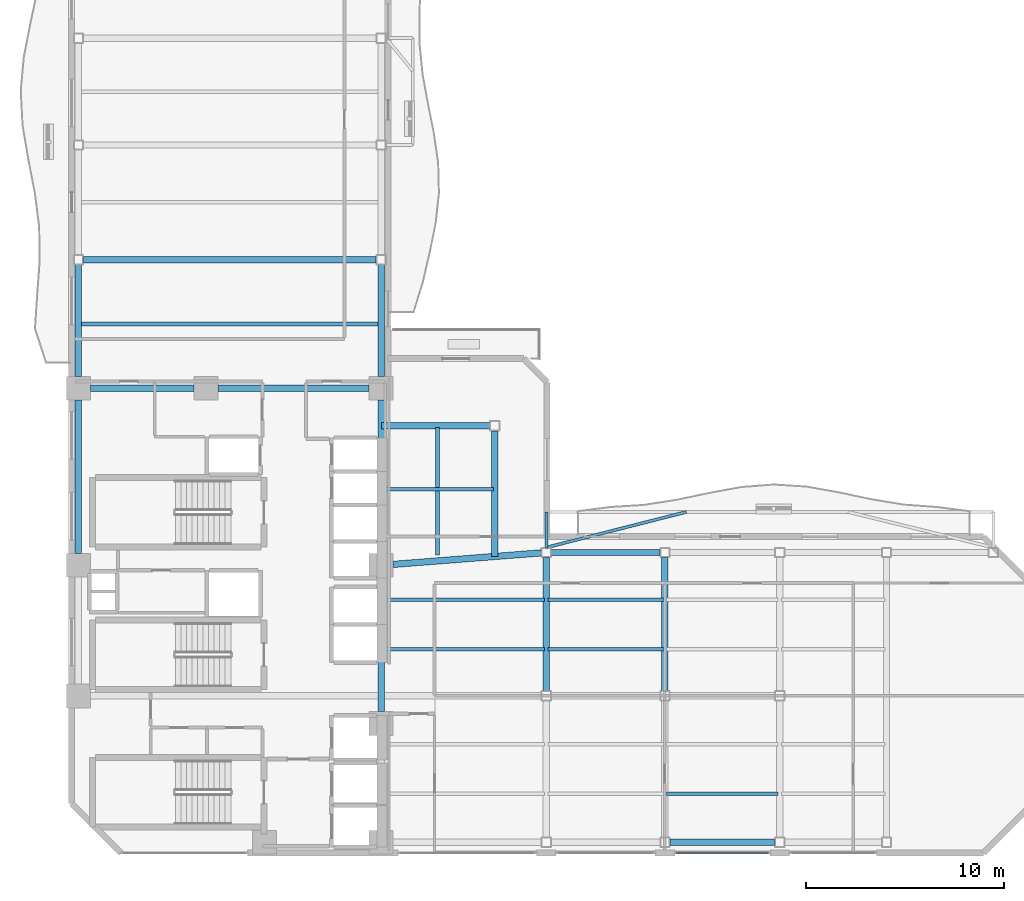
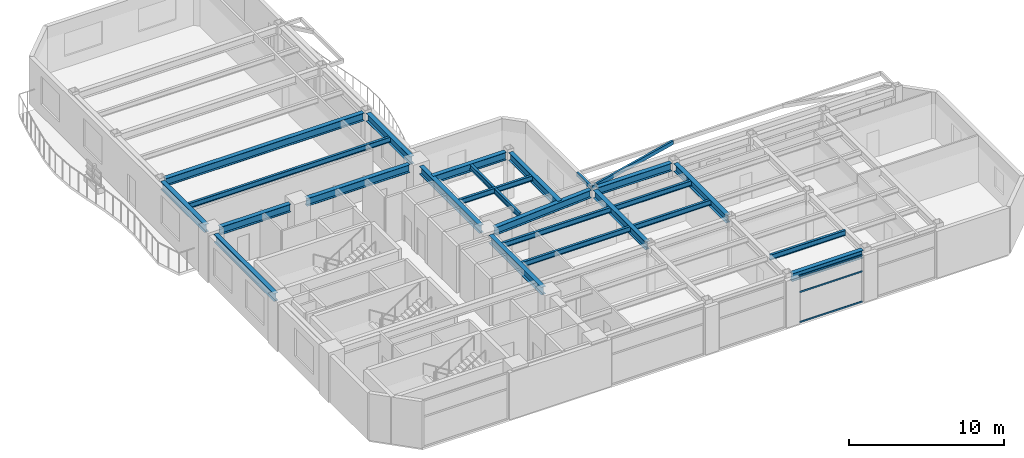
# One storey, part 6 of 15: 25 beams, 3 members, 1 element without a shape of its own.
"""IFC4 building model written with IfcOpenShell, lengths in metres."""

from ifc_helpers import new_model, si_unit, direction, frame, origin, origin_2d, place, context, subcontext, project, spatial, hollow_rectangle, i_section, extrude, material, layer, layer_set, material_profile, profile_set, type_object, element, aggregate, save


model = new_model("IFC4")

# Units and contexts
model_context = context("Model", 3, precision=1e-05, world=origin(), true_north=direction((0.0, 1.0)))
body_context = subcontext(model_context, "Body", "Model", "MODEL_VIEW")
ifc_project = project(units=[si_unit("LENGTHUNIT", "METRE"), si_unit("AREAUNIT", "SQUARE_METRE"), si_unit("VOLUMEUNIT", "CUBIC_METRE"), si_unit("PLANEANGLEUNIT", "RADIAN"), si_unit("MASSUNIT", "GRAM", prefix="KILO")], contexts=[model_context])

# Site, building, storey
site_placement = place(None, origin())
site = spatial("IfcSite", under=ifc_project, at=site_placement, CompositionType="ELEMENT")
building_placement = place(site_placement, origin())
building = spatial("IfcBuilding", under=site, at=building_placement, Name="Mawjaban Terraces University", CompositionType="ELEMENT")
storey_placement = place(building_placement, frame((0.0, 0.0, 142.39990234375)))
storey = spatial("IfcBuildingStorey", under=building, at=storey_placement, Name="L34", CompositionType="ELEMENT", Elevation=142.39990234375)

# Beams
ifc_material_1 = material(Name="Steel EN 10210-1 S355J2H", Category="steel")
ifc_material_profile_1 = material_profile(ifc_material_1, hollow_rectangle(XDim=0.14990234375, YDim=0.300048828125, WallThickness=0.012451171875, at=origin_2d()), Name="RHS300X150X12.5")
ifc_profile_set_1 = profile_set([ifc_material_profile_1], Name="Steel EN 10210-1 S355J2H")
beam_type_1 = type_object("IfcBeamType", Name="BalconyCantileverSpandrel_RHS", PredefinedType="SPANDREL", material=ifc_profile_set_1)
beam_1_placement = place(storey_placement, frame((46.0, 15.449951171875, 3.5400390625), z_axis=(0.0, 1.0, 0.0), x_axis=(-1.0, 0.0, 0.0)))
element("IfcBeam", 1, at=beam_1_placement, inside=storey, type_object=beam_type_1, Name="L34 Exterior Outrigger BAL-L35-N.1", PredefinedType="SPANDREL", context=body_context, shape_type="SweptSolid", body=[
    extrude(hollow_rectangle(XDim=0.14990234375, YDim=0.300048828125, WallThickness=0.012451171875, at=origin_2d()), origin(), (0.0, 0.0, 1.0), 1.800048828125),
])
beam_2_placement = place(storey_placement, frame((46.0, 15.449951171875, 3.5400390625), z_axis=(0.969183810261, 0.24633867323, 0.0), x_axis=(-0.24633867323, 0.969183810261, 0.0)))
element("IfcBeam", 2, at=beam_2_placement, inside=storey, type_object=beam_type_1, Name="L34 Exterior Diagonal Strut BAL-L35-N.1", PredefinedType="SPANDREL", context=body_context, shape_type="SweptSolid", body=[
    extrude(hollow_rectangle(XDim=0.14990234375, YDim=0.300048828125, WallThickness=0.012451171875, at=origin_2d()), origin(), (0.0, 0.0, 1.0), 7.30712890625),
])
ifc_material_2 = material(Name="Steel ASTM A572 Grade 50", Category="steel")
ifc_material_profile_2 = material_profile(ifc_material_2, i_section(OverallWidth=0.324951171875, OverallDepth=0.615966796875, WebThickness=0.013916015625, FlangeThickness=0.021484375, at=origin_2d()), Name="W610X174")
ifc_profile_set_2 = profile_set([ifc_material_profile_2], Name="Steel ASTM A572 Grade 50")
beam_type_2 = type_object("IfcBeamType", Name="Beam_B_W610X174", PredefinedType="BEAM", material=ifc_profile_set_2)
beam_3_placement = place(storey_placement, frame((52.25, 0.550048828125, 3.382080078125), z_axis=(1.0, 0.0, 0.0), x_axis=(0.0, 1.0, 0.0)))
element("IfcBeam", 3, at=beam_3_placement, inside=storey, type_object=beam_type_2, Name="L34 Beam BM-L34-EW-03", PredefinedType="BEAM", context=body_context, shape_type="SweptSolid", body=[
    extrude(i_section(OverallWidth=0.324951171875, OverallDepth=0.615966796875, WebThickness=0.013916015625, FlangeThickness=0.021484375, at=origin_2d()), origin(), (0.0, 0.0, 1.0), 5.300048828125),
])
beam_4_placement = place(storey_placement, frame((46.25, 15.199951171875, 3.382080078125), z_axis=(1.0, 0.0, 0.0), x_axis=(0.0, 1.0, 0.0)))
element("IfcBeam", 4, at=beam_4_placement, inside=storey, type_object=beam_type_2, Name="L34 Beam BM-L34-EW-08", PredefinedType="BEAM", context=body_context, shape_type="SweptSolid", body=[
    extrude(i_section(OverallWidth=0.324951171875, OverallDepth=0.615966796875, WebThickness=0.013916015625, FlangeThickness=0.021484375, at=origin_2d()), origin(), (0.0, 0.0, 1.0), 5.5),
])
beam_5_placement = place(storey_placement, frame((22.949951171875, 23.5, 3.382080078125), z_axis=(1.0, 0.0, 0.0), x_axis=(0.0, 1.0, 0.0)))
element("IfcBeam", 5, at=beam_5_placement, inside=storey, type_object=beam_type_2, Name="L34 Beam BM-L34-EW-12", PredefinedType="BEAM", context=body_context, shape_type="SweptSolid", body=[
    extrude(i_section(OverallWidth=0.324951171875, OverallDepth=0.615966796875, WebThickness=0.013916015625, FlangeThickness=0.021484375, at=origin_2d()), origin(), (0.0, 0.0, 1.0), 5.25),
])
beam_6_placement = place(storey_placement, frame((29.39990234375, 23.5, 3.382080078125), z_axis=(1.0, 0.0, 0.0), x_axis=(0.0, 1.0, 0.0)))
element("IfcBeam", 6, at=beam_6_placement, inside=storey, type_object=beam_type_2, Name="L34 Beam BM-L34-EW-13", PredefinedType="BEAM", context=body_context, shape_type="SweptSolid", body=[
    extrude(i_section(OverallWidth=0.324951171875, OverallDepth=0.615966796875, WebThickness=0.013916015625, FlangeThickness=0.021484375, at=origin_2d()), origin(), (0.0, 0.0, 1.0), 7.650146484375),
])
beam_7_placement = place(storey_placement, frame((22.60009765625, 30.0, 3.382080078125), z_axis=(1.0, 0.0, 0.0), x_axis=(0.0, 1.0, 0.0)))
element("IfcBeam", 7, at=beam_7_placement, inside=storey, type_object=beam_type_2, Name="L34 Beam BM-L34-EW-14", PredefinedType="BEAM", context=body_context, shape_type="SweptSolid", body=[
    extrude(i_section(OverallWidth=0.324951171875, OverallDepth=0.615966796875, WebThickness=0.013916015625, FlangeThickness=0.021484375, at=origin_2d()), origin(), (0.0, 0.0, 1.0), 14.7998046875),
])
beam_8_placement = place(storey_placement, frame((22.35009765625, 15.14990234375, 3.382080078125), z_axis=(0.0, 1.0, 0.0), x_axis=(-1.0, 0.0, 0.0)))
element("IfcBeam", 8, at=beam_8_placement, inside=storey, type_object=beam_type_2, Name="L34 Beam BM-L34-NS-02", PredefinedType="BEAM", context=body_context, shape_type="SweptSolid", body=[
    extrude(i_section(OverallWidth=0.324951171875, OverallDepth=0.615966796875, WebThickness=0.013916015625, FlangeThickness=0.021484375, at=origin_2d()), origin(), (0.0, 0.0, 1.0), 7.75),
])
beam_9_placement = place(storey_placement, frame((22.35009765625, 24.10009765625, 3.382080078125), z_axis=(0.0, 1.0, 0.0), x_axis=(-1.0, 0.0, 0.0)))
element("IfcBeam", 9, at=beam_9_placement, inside=storey, type_object=beam_type_2, Name="L34 Beam BM-L34-NS-03", PredefinedType="BEAM", context=body_context, shape_type="SweptSolid", body=[
    extrude(i_section(OverallWidth=0.324951171875, OverallDepth=0.615966796875, WebThickness=0.013916015625, FlangeThickness=0.021484375, at=origin_2d()), origin(), (0.0, 0.0, 1.0), 5.64990234375),
])
beam_10_placement = place(storey_placement, frame((37.64990234375, 7.14990234375, 3.382080078125), z_axis=(0.0, 1.0, 0.0), x_axis=(-1.0, 0.0, 0.0)))
element("IfcBeam", 10, at=beam_10_placement, inside=storey, type_object=beam_type_2, Name="L34 Beam BM-L34-NS-07", PredefinedType="BEAM", context=body_context, shape_type="SweptSolid", body=[
    extrude(i_section(OverallWidth=0.324951171875, OverallDepth=0.615966796875, WebThickness=0.013916015625, FlangeThickness=0.021484375, at=origin_2d()), origin(), (0.0, 0.0, 1.0), 6.800048828125),
])
beam_11_placement = place(storey_placement, frame((37.64990234375, 15.14990234375, 3.382080078125), z_axis=(0.0, 1.0, 0.0), x_axis=(-1.0, 0.0, 0.0)))
element("IfcBeam", 11, at=beam_11_placement, inside=storey, type_object=beam_type_2, Name="L34 Beam BM-L34-NS-08", PredefinedType="BEAM", context=body_context, shape_type="SweptSolid", body=[
    extrude(i_section(OverallWidth=0.324951171875, OverallDepth=0.615966796875, WebThickness=0.013916015625, FlangeThickness=0.021484375, at=origin_2d()), origin(), (0.0, 0.0, 1.0), 7.75),
])
beam_12_placement = place(storey_placement, frame((37.64990234375, 24.10009765625, 3.382080078125), z_axis=(0.0, 1.0, 0.0), x_axis=(-1.0, 0.0, 0.0)))
element("IfcBeam", 12, at=beam_12_placement, inside=storey, type_object=beam_type_2, Name="L34 Beam BM-L34-NS-09", PredefinedType="BEAM", context=body_context, shape_type="SweptSolid", body=[
    extrude(i_section(OverallWidth=0.324951171875, OverallDepth=0.615966796875, WebThickness=0.013916015625, FlangeThickness=0.021484375, at=origin_2d()), origin(), (0.0, 0.0, 1.0), 5.64990234375),
])
for number, where, z_axis, x_axis, name in (
    (13, (46.0, 8.199951171875, 3.382080078125), (0.0, 1.0, 0.0), (-1.0, 0.0, 0.0), "L34 Beam BM-L34-NS-13"),
    (14, (52.0, 8.199951171875, 3.382080078125), (0.0, 1.0, 0.0), (-1.0, 0.0, 0.0), "L34 Beam BM-L34-NS-15"),
):
    element("IfcBeam", number, at=place(storey_placement, frame(where, z_axis=z_axis, x_axis=x_axis)), inside=storey, type_object=beam_type_2, Name=name, PredefinedType="BEAM", context=body_context, shape_type="SweptSolid", body=[
        extrude(i_section(OverallWidth=0.324951171875, OverallDepth=0.615966796875, WebThickness=0.013916015625, FlangeThickness=0.021484375, at=origin_2d()), origin(), (0.0, 0.0, 1.0), 6.75),
    ])
beam_13_placement = place(storey_placement, frame((38.248046875, 14.596923828125, 3.382080078125), z_axis=(0.996984614132, 0.077599479273, 0.0), x_axis=(-0.077599479273, 0.996984614132, 0.0)))
element("IfcBeam", 15, at=beam_13_placement, inside=storey, type_object=beam_type_2, Name="L34 Beam BM-L34-CTIE", PredefinedType="BEAM", context=body_context, shape_type="SweptSolid", body=[
    extrude(i_section(OverallWidth=0.324951171875, OverallDepth=0.615966796875, WebThickness=0.013916015625, FlangeThickness=0.021484375, at=origin_2d()), origin(), (0.0, 0.0, 1.0), 7.525634765625),
])
beam_14_placement = place(storey_placement, frame((37.679931640625, 21.60009765625, 3.382080078125), z_axis=(1.0, 0.0, 0.0), x_axis=(0.0, 1.0, 0.0)))
element("IfcBeam", 16, at=beam_14_placement, inside=storey, type_object=beam_type_2, Name="L34 Spur Tie Girder West", PredefinedType="BEAM", context=body_context, shape_type="SweptSolid", body=[
    extrude(i_section(OverallWidth=0.324951171875, OverallDepth=0.615966796875, WebThickness=0.013916015625, FlangeThickness=0.021484375, at=origin_2d()), origin(), (0.0, 0.0, 1.0), 5.469970703125),
])
beam_15_placement = place(storey_placement, frame((43.39990234375, 15.0, 3.382080078125), z_axis=(0.0, 1.0, 0.0), x_axis=(-1.0, 0.0, 0.0)))
element("IfcBeam", 17, at=beam_15_placement, inside=storey, type_object=beam_type_2, Name="L34 Spur Tie Girder South", PredefinedType="BEAM", context=body_context, shape_type="SweptSolid", body=[
    extrude(i_section(OverallWidth=0.324951171875, OverallDepth=0.615966796875, WebThickness=0.013916015625, FlangeThickness=0.021484375, at=origin_2d()), origin(), (0.0, 0.0, 1.0), 6.35009765625),
])
ifc_material_profile_3 = material_profile(ifc_material_2, i_section(OverallWidth=0.179931640625, OverallDepth=0.4130859375, WebThickness=0.009765625, FlangeThickness=0.01611328125, at=origin_2d()), Name="W410X74")
ifc_profile_set_3 = profile_set([ifc_material_profile_3], Name="Steel ASTM A572 Grade 50")
beam_type_3 = type_object("IfcBeamType", Name="Beam_J_W410X74", PredefinedType="JOIST", material=ifc_profile_set_3)
beam_16_placement = place(storey_placement, frame((52.080078125, 3.0, 3.483154296875), z_axis=(1.0, 0.0, 0.0), x_axis=(0.0, 1.0, 0.0)))
element("IfcBeam", 18, at=beam_16_placement, inside=storey, type_object=beam_type_3, Name="L34 Composite Joist JST-L34-03", PredefinedType="JOIST", context=body_context, shape_type="SweptSolid", body=[
    extrude(i_section(OverallWidth=0.179931640625, OverallDepth=0.4130859375, WebThickness=0.009765625, FlangeThickness=0.01611328125, at=origin_2d()), origin(), (0.0, 0.0, 1.0), 5.639892578125),
])
beam_17_placement = place(storey_placement, frame((37.72998046875, 10.300048828125, 3.483154296875), z_axis=(1.0, 0.0, 0.0), x_axis=(0.0, 1.0, 0.0)))
element("IfcBeam", 19, at=beam_17_placement, inside=storey, type_object=beam_type_3, Name="L34 Composite Joist JST-L34-09", PredefinedType="JOIST", context=body_context, shape_type="SweptSolid", body=[
    extrude(i_section(OverallWidth=0.179931640625, OverallDepth=0.4130859375, WebThickness=0.009765625, FlangeThickness=0.01611328125, at=origin_2d()), origin(), (0.0, 0.0, 1.0), 8.18994140625),
])
beam_18_placement = place(storey_placement, frame((46.080078125, 10.300048828125, 3.483154296875), z_axis=(1.0, 0.0, 0.0), x_axis=(0.0, 1.0, 0.0)))
element("IfcBeam", 20, at=beam_18_placement, inside=storey, type_object=beam_type_3, Name="L34 Composite Joist JST-L34-10", PredefinedType="JOIST", context=body_context, shape_type="SweptSolid", body=[
    extrude(i_section(OverallWidth=0.179931640625, OverallDepth=0.4130859375, WebThickness=0.009765625, FlangeThickness=0.01611328125, at=origin_2d()), origin(), (0.0, 0.0, 1.0), 5.83984375),
])
beam_19_placement = place(storey_placement, frame((37.72998046875, 12.800048828125, 3.483154296875), z_axis=(1.0, 0.0, 0.0), x_axis=(0.0, 1.0, 0.0)))
element("IfcBeam", 21, at=beam_19_placement, inside=storey, type_object=beam_type_3, Name="L34 Composite Joist JST-L34-13", PredefinedType="JOIST", context=body_context, shape_type="SweptSolid", body=[
    extrude(i_section(OverallWidth=0.179931640625, OverallDepth=0.4130859375, WebThickness=0.009765625, FlangeThickness=0.01611328125, at=origin_2d()), origin(), (0.0, 0.0, 1.0), 8.18994140625),
])
beam_20_placement = place(storey_placement, frame((46.080078125, 12.800048828125, 3.483154296875), z_axis=(1.0, 0.0, 0.0), x_axis=(0.0, 1.0, 0.0)))
element("IfcBeam", 22, at=beam_20_placement, inside=storey, type_object=beam_type_3, Name="L34 Composite Joist JST-L34-14", PredefinedType="JOIST", context=body_context, shape_type="SweptSolid", body=[
    extrude(i_section(OverallWidth=0.179931640625, OverallDepth=0.4130859375, WebThickness=0.009765625, FlangeThickness=0.01611328125, at=origin_2d()), origin(), (0.0, 0.0, 1.0), 5.83984375),
])
beam_21_placement = place(storey_placement, frame((37.72998046875, 18.39990234375, 3.483154296875), z_axis=(1.0, 0.0, 0.0), x_axis=(0.0, 1.0, 0.0)))
element("IfcBeam", 23, at=beam_21_placement, inside=storey, type_object=beam_type_3, Name="L34 Composite Joist JST-L34-17", PredefinedType="JOIST", context=body_context, shape_type="SweptSolid", body=[
    extrude(i_section(OverallWidth=0.179931640625, OverallDepth=0.4130859375, WebThickness=0.009765625, FlangeThickness=0.01611328125, at=origin_2d()), origin(), (0.0, 0.0, 1.0), 5.590087890625),
])
beam_22_placement = place(storey_placement, frame((22.429931640625, 26.75, 3.483154296875), z_axis=(1.0, 0.0, 0.0), x_axis=(0.0, 1.0, 0.0)))
element("IfcBeam", 24, at=beam_22_placement, inside=storey, type_object=beam_type_3, Name="L34 Composite Joist JST-L34-18", PredefinedType="JOIST", context=body_context, shape_type="SweptSolid", body=[
    extrude(i_section(OverallWidth=0.179931640625, OverallDepth=0.4130859375, WebThickness=0.009765625, FlangeThickness=0.01611328125, at=origin_2d()), origin(), (0.0, 0.0, 1.0), 15.14013671875),
])
beam_23_placement = place(storey_placement, frame((40.5, 15.080078125, 3.483154296875), z_axis=(0.0, 1.0, 0.0), x_axis=(-1.0, 0.0, 0.0)))
element("IfcBeam", 25, at=beam_23_placement, inside=storey, type_object=beam_type_3, Name="L34 Composite Joist JST-L34-NS-21", PredefinedType="JOIST", context=body_context, shape_type="SweptSolid", body=[
    extrude(i_section(OverallWidth=0.179931640625, OverallDepth=0.4130859375, WebThickness=0.009765625, FlangeThickness=0.01611328125, at=origin_2d()), origin(), (0.0, 0.0, 1.0), 6.43994140625),
])

# Curtain wall, members
ifc_material_3 = material(Name="Anodised aluminium 6063-T6 and solar-control low-E glass", Category="aluminium")
ifc_layer = layer(ifc_material_3, 0.1650390625)
ifc_layer_set = layer_set([ifc_layer], Name="Anodised aluminium 6063-T6 and solar-control low-E glass")
curtain_wall_type = type_object("IfcCurtainWallType", Name="CWSystem_04_EastWing", PredefinedType="NOTDEFINED", material=ifc_layer_set)
curtain_wall_placement = place(storey_placement, origin())
curtain_wall = element("IfcCurtainWall", 26, at=curtain_wall_placement, inside=storey, type_object=curtain_wall_type, Name="L34 Curtain Wall CW-04 Run 1.4", PredefinedType="NOTDEFINED")
ifc_material_4 = material(Name="Anodised aluminium 6063-T6", Category="aluminium")
ifc_material_profile_4 = material_profile(ifc_material_4, hollow_rectangle(XDim=0.06005859375, YDim=0.1201171875, WallThickness=0.00341796875, at=origin_2d()), Name="ALU120X60X3.5")
ifc_profile_set_4 = profile_set([ifc_material_profile_4], Name="Anodised aluminium 6063-T6")
member_type = type_object("IfcMemberType", Name="Transom_CW-04", PredefinedType="NOTDEFINED", material=ifc_profile_set_4)
member_1_placement = place(storey_placement, frame((52.56494140625, 0.0, 0.030029296875), z_axis=(1.0, 0.0, 0.0), x_axis=(0.0, 1.0, 0.0)))
member_1 = element("IfcMember", 27, at=member_1_placement, type_object=member_type, Name="CW-04 transom 1.1", ObjectType="TRANSOM", PredefinedType="USERDEFINED", context=body_context, shape_type="SweptSolid", body=[
    extrude(hollow_rectangle(XDim=0.06005859375, YDim=0.1201171875, WallThickness=0.00341796875, at=origin_2d()), origin(), (0.0, 0.0, 1.0), 4.670166015625),
])
member_2_placement = place(storey_placement, frame((52.56494140625, 0.0, 2.398193359375), z_axis=(1.0, 0.0, 0.0), x_axis=(0.0, 1.0, 0.0)))
member_2 = element("IfcMember", 28, at=member_2_placement, type_object=member_type, Name="CW-04 transom 1.2", ObjectType="TRANSOM", PredefinedType="USERDEFINED", context=body_context, shape_type="SweptSolid", body=[
    extrude(hollow_rectangle(XDim=0.06005859375, YDim=0.1201171875, WallThickness=0.00341796875, at=origin_2d()), origin(), (0.0, 0.0, 1.0), 4.670166015625),
])
member_3_placement = place(storey_placement, frame((52.56494140625, 0.0, 3.66015625), z_axis=(1.0, 0.0, 0.0), x_axis=(0.0, 1.0, 0.0)))
member_3 = element("IfcMember", 29, at=member_3_placement, type_object=member_type, Name="CW-04 transom 1.3", ObjectType="TRANSOM", PredefinedType="USERDEFINED", context=body_context, shape_type="SweptSolid", body=[
    extrude(hollow_rectangle(XDim=0.06005859375, YDim=0.1201171875, WallThickness=0.00341796875, at=origin_2d()), origin(), (0.0, 0.0, 1.0), 4.670166015625),
])
aggregate(curtain_wall, [member_1, member_2, member_3])

save(model, "model.ifc")
